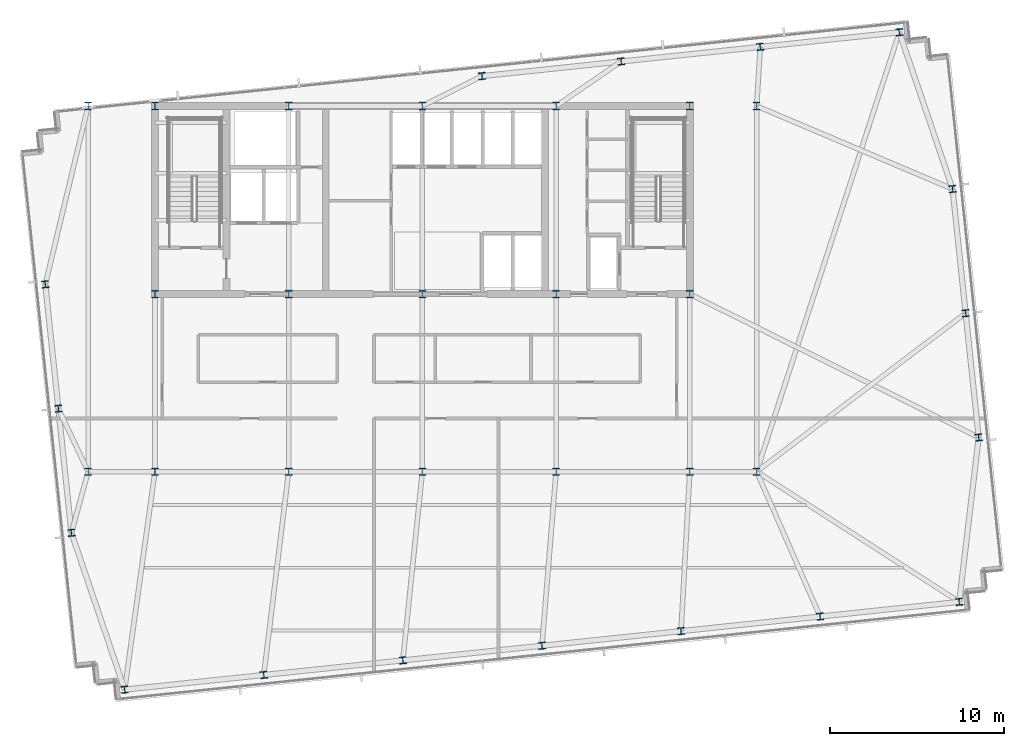
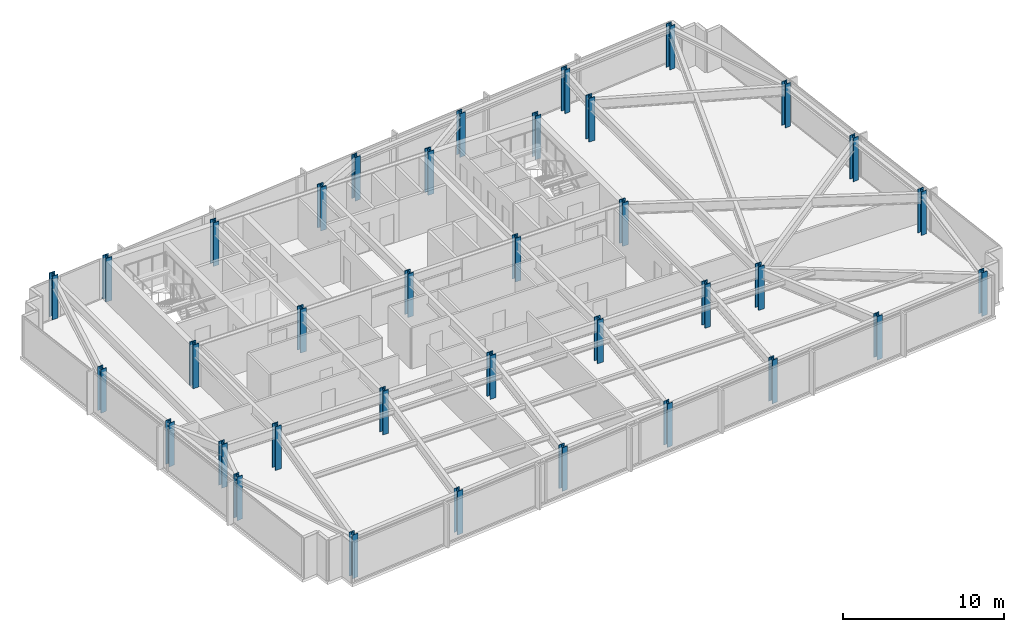
# One storey, part 1 of 32: 36 columns.
"""IFC4 building model written with IfcOpenShell, lengths in metres."""

from ifc_helpers import new_model, si_unit, direction, frame, origin, origin_2d, place, context, subcontext, project, spatial, i_section, extrude, material, material_profile, profile_set, type_object, element, save


model = new_model("IFC4")

# Units and contexts
model_context = context("Model", 3, precision=1e-05, world=origin(), true_north=direction((0.0, 1.0)))
body_context = subcontext(model_context, "Body", "Model", "MODEL_VIEW")
ifc_project = project(units=[si_unit("LENGTHUNIT", "METRE"), si_unit("AREAUNIT", "SQUARE_METRE"), si_unit("VOLUMEUNIT", "CUBIC_METRE"), si_unit("PLANEANGLEUNIT", "RADIAN"), si_unit("MASSUNIT", "GRAM", prefix="KILO")], contexts=[model_context])

# Site, building, storey
site_placement = place(None, origin())
site = spatial("IfcSite", under=ifc_project, at=site_placement, CompositionType="ELEMENT")
building_placement = place(site_placement, origin())
building = spatial("IfcBuilding", under=site, at=building_placement, Name="Yelkora Congress Tower", CompositionType="ELEMENT")
storey_placement = place(building_placement, frame((0.0, 0.0, 207.800048828125)))
storey = spatial("IfcBuildingStorey", under=building, at=storey_placement, Name="L57", CompositionType="ELEMENT", Elevation=207.800048828125)

# Columns
ifc_material_1 = material(Name="Steel S355J2", Category="steel")
ifc_material_profile_1 = material_profile(ifc_material_1, i_section(OverallWidth=0.40087890625, OverallDepth=0.39892578125, WebThickness=0.02490234375, FlangeThickness=0.03955078125, FilletRadius=0.014892578125, at=origin_2d()), Name="HD 400x314")
ifc_profile_set_1 = profile_set([ifc_material_profile_1], Name="Steel S355J2")
column_type_1 = type_object("IfcColumnType", Name="COL-HD-314-EXT", PredefinedType="COLUMN", material=ifc_profile_set_1)
for number, where, z_axis, x_axis, name in (
    (1, (21.299072265625, 12.678466796875, 0.0), (0.0, 0.0, 1.0), (0.994521895368, 0.104528463268, 0.0), "L57 Perimeter Column S01"),
    (2, (29.288330078125, 13.518310546875, 0.0), (0.0, 0.0, 1.0), (0.994521895368, 0.104528463268, 0.0), "L57 Perimeter Column S02"),
    (3, (37.277587890625, 14.35791015625, 0.0), (0.0, 0.0, 1.0), (0.994521895368, 0.104528463268, 0.0), "L57 Perimeter Column S03"),
    (4, (45.26708984375, 15.197509765625, 0.0), (0.0, 0.0, 1.0), (0.994521895368, 0.104528463268, 0.0), "L57 Perimeter Column S04"),
    (5, (53.25634765625, 16.037353515625, 0.0), (0.0, 0.0, 1.0), (0.994521895368, 0.104528463268, 0.0), "L57 Perimeter Column S05"),
    (6, (61.24560546875, 16.877197265625, 0.0), (0.0, 0.0, 1.0), (0.994521895368, 0.104528463268, 0.0), "L57 Perimeter Column S06"),
    (7, (69.235107421875, 17.716796875, 0.0), (0.0, 0.0, 1.0), (0.994521895368, 0.104528463268, 0.0), "L57 Perimeter Column S07"),
    (8, (41.828125, 47.91748046875, 0.0), (0.0, 0.0, 1.0), (0.994521895368, 0.104528463268, 0.0), "L57 Perimeter Column N04"),
    (9, (49.8173828125, 48.757080078125, 0.0), (0.0, 0.0, 1.0), (0.994521895368, 0.104528463268, 0.0), "L57 Perimeter Column N05"),
    (10, (57.806640625, 49.5966796875, 0.0), (0.0, 0.0, 1.0), (0.994521895368, 0.104528463268, 0.0), "L57 Perimeter Column N06"),
    (11, (65.7958984375, 50.4365234375, 0.0), (0.0, 0.0, 1.0), (0.994521895368, 0.104528463268, 0.0), "L57 Perimeter Column N07"),
    (12, (18.2412109375, 21.68310546875, 0.0), (0.0, 0.0, 1.0), (0.994521895368, 0.104528463268, 0.0), "L57 Perimeter Column W01"),
    (13, (70.35400390625, 27.160400390625, 0.0), (0.0, 0.0, 1.0), (0.994521895368, 0.104528463268, 0.0), "L57 Perimeter Column E01"),
    (14, (17.4912109375, 28.81884765625, 0.0), (0.0, 0.0, 1.0), (0.994521895368, 0.104528463268, 0.0), "L57 Perimeter Column W02"),
    (15, (69.60400390625, 34.296142578125, 0.0), (0.0, 0.0, 1.0), (0.994521895368, 0.104528463268, 0.0), "L57 Perimeter Column E02"),
    (16, (16.7412109375, 35.95458984375, 0.0), (0.0, 0.0, 1.0), (0.994521895368, 0.104528463268, 0.0), "L57 Perimeter Column W03"),
    (17, (68.85400390625, 41.431884765625, 0.0), (0.0, 0.0, 1.0), (0.994521895368, 0.104528463268, 0.0), "L57 Perimeter Column E03"),
):
    element("IfcColumn", number, at=place(storey_placement, frame(where, z_axis=z_axis, x_axis=x_axis)), inside=storey, type_object=column_type_1, Name=name, PredefinedType="COLUMN", context=body_context, shape_type="SweptSolid", body=[
        extrude(i_section(OverallWidth=0.40087890625, OverallDepth=0.39892578125, WebThickness=0.02490234375, FlangeThickness=0.03955078125, FilletRadius=0.014892578125, at=origin_2d()), origin(), (0.0, 0.0, 1.0), 3.300048828125),
    ])
ifc_material_2 = material(Name="Steel S460M", Category="steel")
ifc_material_profile_2 = material_profile(ifc_material_2, i_section(OverallWidth=0.412109375, OverallDepth=0.43505859375, WebThickness=0.035888671875, FlangeThickness=0.05810546875, FilletRadius=0.014892578125, at=origin_2d()), Name="HD 400x463")
ifc_profile_set_2 = profile_set([ifc_material_profile_2], Name="Steel S460M")
column_type_2 = type_object("IfcColumnType", Name="COL-HD-463", PredefinedType="COLUMN", material=ifc_profile_set_2)
for number, where, z_axis, x_axis, name in (
    (18, (23.0400390625, 35.39990234375, 0.0), (0.0, 0.0, 1.0), (1.0, 0.0, 0.0), "L57 Mega Column MC-S1"),
    (19, (23.0400390625, 46.199951171875, 0.0), (0.0, 0.0, 1.0), (1.0, 0.0, 0.0), "L57 Mega Column MC-N1"),
    (20, (23.0400390625, 25.199951171875, 0.0), (0.0, 0.0, 1.0), (1.0, 0.0, 0.0), "L57 Mega Column MC-D1"),
    (21, (30.719970703125, 35.39990234375, 0.0), (0.0, 0.0, 1.0), (1.0, 0.0, 0.0), "L57 Mega Column MC-S2"),
    (22, (30.719970703125, 46.199951171875, 0.0), (0.0, 0.0, 1.0), (1.0, 0.0, 0.0), "L57 Mega Column MC-N2"),
    (23, (30.719970703125, 25.199951171875, 0.0), (0.0, 0.0, 1.0), (1.0, 0.0, 0.0), "L57 Mega Column MC-D2"),
    (24, (38.39990234375, 35.39990234375, 0.0), (0.0, 0.0, 1.0), (1.0, 0.0, 0.0), "L57 Mega Column MC-S3"),
    (25, (38.39990234375, 46.199951171875, 0.0), (0.0, 0.0, 1.0), (1.0, 0.0, 0.0), "L57 Mega Column MC-N3"),
    (26, (38.39990234375, 25.199951171875, 0.0), (0.0, 0.0, 1.0), (1.0, 0.0, 0.0), "L57 Mega Column MC-D3"),
    (27, (46.080078125, 35.39990234375, 0.0), (0.0, 0.0, 1.0), (1.0, 0.0, 0.0), "L57 Mega Column MC-S4"),
    (28, (46.080078125, 46.199951171875, 0.0), (0.0, 0.0, 1.0), (1.0, 0.0, 0.0), "L57 Mega Column MC-N4"),
    (29, (46.080078125, 25.199951171875, 0.0), (0.0, 0.0, 1.0), (1.0, 0.0, 0.0), "L57 Mega Column MC-D4"),
    (30, (53.760009765625, 35.39990234375, 0.0), (0.0, 0.0, 1.0), (1.0, 0.0, 0.0), "L57 Mega Column MC-S5"),
    (31, (53.760009765625, 46.199951171875, 0.0), (0.0, 0.0, 1.0), (1.0, 0.0, 0.0), "L57 Mega Column MC-N5"),
    (32, (53.760009765625, 25.199951171875, 0.0), (0.0, 0.0, 1.0), (1.0, 0.0, 0.0), "L57 Mega Column MC-D5"),
    (33, (19.199951171875, 25.199951171875, 0.0), (0.0, 0.0, 1.0), (1.0, 0.0, 0.0), "L57 Mega Column MC-F1"),
    (34, (57.60009765625, 25.199951171875, 0.0), (0.0, 0.0, 1.0), (1.0, 0.0, 0.0), "L57 Mega Column MC-F2"),
    (35, (19.199951171875, 46.199951171875, 0.0), (0.0, 0.0, 1.0), (1.0, 0.0, 0.0), "L57 Mega Column MC-F3"),
    (36, (57.60009765625, 46.199951171875, 0.0), (0.0, 0.0, 1.0), (1.0, 0.0, 0.0), "L57 Mega Column MC-F4"),
):
    element("IfcColumn", number, at=place(storey_placement, frame(where, z_axis=z_axis, x_axis=x_axis)), inside=storey, type_object=column_type_2, Name=name, PredefinedType="COLUMN", context=body_context, shape_type="SweptSolid", body=[
        extrude(i_section(OverallWidth=0.412109375, OverallDepth=0.43505859375, WebThickness=0.035888671875, FlangeThickness=0.05810546875, FilletRadius=0.014892578125, at=origin_2d()), origin(), (0.0, 0.0, 1.0), 3.300048828125),
    ])

save(model, "model.ifc")
